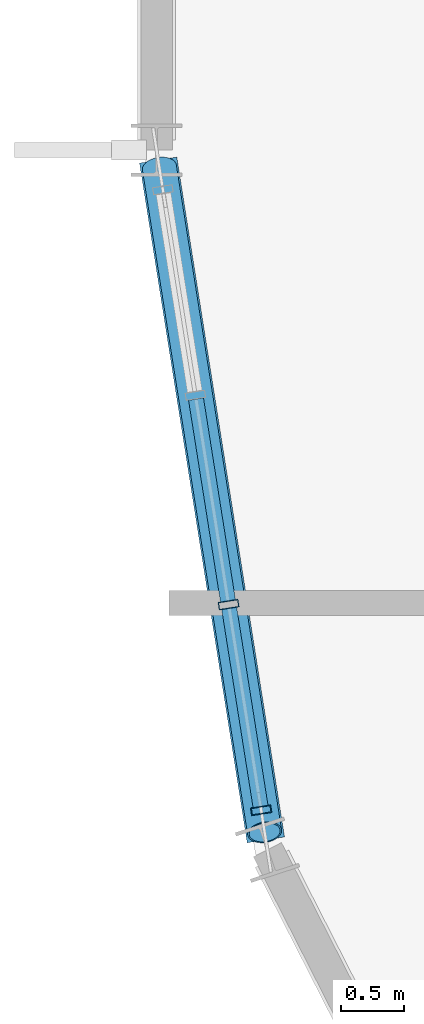
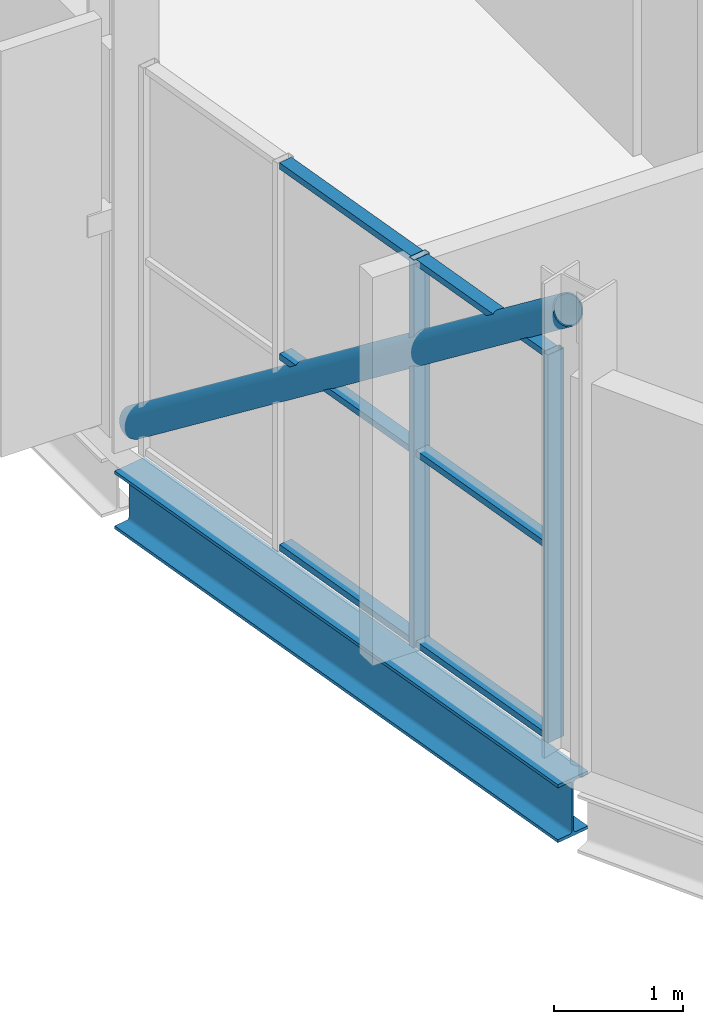
# One storey, part 4 of 22: 9 members, 1 beam, 1 element without a shape of its own.
"""IFC4 building model written with IfcOpenShell, lengths in metres."""

from ifc_helpers import new_model, si_unit, direction, frame, origin, origin_2d, place, context, subcontext, project, spatial, hollow_rectangle, hollow_circle, i_section, extrude, material, layer, layer_set, material_profile, profile_set, type_object, element, aggregate, save


model = new_model("IFC4")

# Units and contexts
model_context = context("Model", 3, precision=1e-05, world=origin(), true_north=direction((0.0, 1.0)))
body_context = subcontext(model_context, "Body", "Model", "MODEL_VIEW")
ifc_project = project(units=[si_unit("LENGTHUNIT", "METRE"), si_unit("AREAUNIT", "SQUARE_METRE"), si_unit("VOLUMEUNIT", "CUBIC_METRE"), si_unit("PLANEANGLEUNIT", "RADIAN"), si_unit("MASSUNIT", "GRAM", prefix="KILO")], contexts=[model_context])

# Site, building, storey
site_placement = place(None, origin())
site = spatial("IfcSite", under=ifc_project, at=site_placement, CompositionType="ELEMENT")
building_placement = place(site_placement, origin())
building = spatial("IfcBuilding", under=site, at=building_placement, Name="Solnavia Interchange Tower", CompositionType="ELEMENT")
storey_placement = place(building_placement, frame((0.0, 0.0, 317.699951171875)))
storey = spatial("IfcBuildingStorey", under=building, at=storey_placement, Name="C04", CompositionType="ELEMENT", Elevation=317.699951171875)

# Curtain wall, members
ifc_material_1 = material(Name="Aluminium Alloy 6063-T6", Category="aluminium")
ifc_layer = layer(ifc_material_1, 0.179931640625)
ifc_layer_set = layer_set([ifc_layer], Name="Aluminium Alloy 6063-T6")
curtain_wall_type = type_object("IfcCurtainWallType", Name="CurtainWall-Crown-CTW6", PredefinedType="NOTDEFINED", material=ifc_layer_set)
curtain_wall_placement = place(storey_placement, origin())
curtain_wall = element("IfcCurtainWall", 1, at=curtain_wall_placement, inside=storey, type_object=curtain_wall_type, Name="CTW-C04-R09 CTW-6 curtain wall", PredefinedType="NOTDEFINED")
ifc_material_profile_1 = material_profile(ifc_material_1, hollow_rectangle(XDim=0.06005859375, YDim=0.159912109375, WallThickness=0.00390625, at=origin_2d()), Name="ALU 160x60x4")
ifc_profile_set_1 = profile_set([ifc_material_profile_1], Name="Aluminium Alloy 6063-T6")
member_type_1 = type_object("IfcMemberType", Name="CW-Mullion-CWM-6", PredefinedType="MULLION", material=ifc_profile_set_1)
member_1_placement = place(storey_placement, frame((7.772216796875, 17.987060546875, 0.0), z_axis=(0.0, 0.0, 1.0), x_axis=(0.156456312485, -0.987684880052, 0.0)))
member_1 = element("IfcMember", 2, at=member_1_placement, type_object=member_type_1, Name="CTW-6 mullion 3", PredefinedType="MULLION", context=body_context, shape_type="SweptSolid", body=[
    extrude(hollow_rectangle(XDim=0.06005859375, YDim=0.159912109375, WallThickness=0.00390625, at=origin_2d()), origin(), (0.0, 0.0, 1.0), 3.679931640625),
])
member_2_placement = place(storey_placement, frame((8.03125, 16.3525390625, 0.0), z_axis=(0.0, 0.0, 1.0), x_axis=(0.156456312485, -0.987684880052, 0.0)))
member_2 = element("IfcMember", 3, at=member_2_placement, type_object=member_type_1, Name="CTW-6 mullion 4", PredefinedType="MULLION", context=body_context, shape_type="SweptSolid", body=[
    extrude(hollow_rectangle(XDim=0.06005859375, YDim=0.159912109375, WallThickness=0.00390625, at=origin_2d()), origin(), (0.0, 0.0, 1.0), 3.679931640625),
])
ifc_material_profile_2 = material_profile(ifc_material_1, hollow_rectangle(XDim=0.06005859375, YDim=0.1201171875, WallThickness=0.00390625, at=origin_2d()), Name="ALU 120x60x4")
ifc_profile_set_2 = profile_set([ifc_material_profile_2], Name="Aluminium Alloy 6063-T6")
member_type_2 = type_object("IfcMemberType", Name="CW-Transom-CWT-6", PredefinedType="USERDEFINED", material=ifc_profile_set_2)
member_3_placement = place(storey_placement, frame((7.513427734375, 19.621337890625, 0.030029296875), z_axis=(0.15642553401, -0.98768975509, 0.0), x_axis=(0.0, 0.0, 1.0)))
member_3 = element("IfcMember", 4, at=member_3_placement, type_object=member_type_2, Name="CTW-6 transom 2.1", ObjectType="TRANSOM", PredefinedType="USERDEFINED", context=body_context, shape_type="SweptSolid", body=[
    extrude(hollow_rectangle(XDim=0.06005859375, YDim=0.1201171875, WallThickness=0.00390625, at=origin_2d()), origin(), (0.0, 0.0, 1.0), 1.624755859375),
])
member_4_placement = place(storey_placement, frame((7.513427734375, 19.621337890625, 1.840087890625), z_axis=(0.15642553401, -0.98768975509, 0.0), x_axis=(0.0, 0.0, 1.0)))
member_4 = element("IfcMember", 5, at=member_4_placement, type_object=member_type_2, Name="CTW-6 transom 2.2", ObjectType="TRANSOM", PredefinedType="USERDEFINED", context=body_context, shape_type="SweptSolid", body=[
    extrude(hollow_rectangle(XDim=0.06005859375, YDim=0.1201171875, WallThickness=0.00390625, at=origin_2d()), origin(), (0.0, 0.0, 1.0), 1.624755859375),
])
member_5_placement = place(storey_placement, frame((7.513427734375, 19.621337890625, 3.650146484375), z_axis=(0.15642553401, -0.98768975509, 0.0), x_axis=(0.0, 0.0, 1.0)))
member_5 = element("IfcMember", 6, at=member_5_placement, type_object=member_type_2, Name="CTW-6 transom 2.3", ObjectType="TRANSOM", PredefinedType="USERDEFINED", context=body_context, shape_type="SweptSolid", body=[
    extrude(hollow_rectangle(XDim=0.06005859375, YDim=0.1201171875, WallThickness=0.00390625, at=origin_2d()), origin(), (0.0, 0.0, 1.0), 1.624755859375),
])
member_6_placement = place(storey_placement, frame((7.777099609375, 17.957275390625, 0.030029296875), z_axis=(0.156449934884, -0.987685890288, 0.0), x_axis=(0.0, 0.0, 1.0)))
member_6 = element("IfcMember", 7, at=member_6_placement, type_object=member_type_2, Name="CTW-6 transom 3.1", ObjectType="TRANSOM", PredefinedType="USERDEFINED", context=body_context, shape_type="SweptSolid", body=[
    extrude(hollow_rectangle(XDim=0.06005859375, YDim=0.1201171875, WallThickness=0.00390625, at=origin_2d()), origin(), (0.0, 0.0, 1.0), 1.5947265625),
])
member_7_placement = place(storey_placement, frame((7.777099609375, 17.957275390625, 1.840087890625), z_axis=(0.156449934884, -0.987685890288, 0.0), x_axis=(0.0, 0.0, 1.0)))
member_7 = element("IfcMember", 8, at=member_7_placement, type_object=member_type_2, Name="CTW-6 transom 3.2", ObjectType="TRANSOM", PredefinedType="USERDEFINED", context=body_context, shape_type="SweptSolid", body=[
    extrude(hollow_rectangle(XDim=0.06005859375, YDim=0.1201171875, WallThickness=0.00390625, at=origin_2d()), origin(), (0.0, 0.0, 1.0), 1.5947265625),
])
member_8_placement = place(storey_placement, frame((7.777099609375, 17.957275390625, 3.650146484375), z_axis=(0.156449934884, -0.987685890288, 0.0), x_axis=(0.0, 0.0, 1.0)))
member_8 = element("IfcMember", 9, at=member_8_placement, type_object=member_type_2, Name="CTW-6 transom 3.3", ObjectType="TRANSOM", PredefinedType="USERDEFINED", context=body_context, shape_type="SweptSolid", body=[
    extrude(hollow_rectangle(XDim=0.06005859375, YDim=0.1201171875, WallThickness=0.00390625, at=origin_2d()), origin(), (0.0, 0.0, 1.0), 1.5947265625),
])
aggregate(curtain_wall, [member_1, member_2, member_3, member_4, member_5, member_6, member_7, member_8])

# Member
ifc_material_2 = material(Name="Steel S355", Category="steel")
ifc_material_profile_3 = material_profile(ifc_material_2, hollow_circle(Radius=0.136474609375, WallThickness=0.012451171875, at=origin_2d()), Name="CHS 273x12.5")
ifc_profile_set_3 = profile_set([ifc_material_profile_3], Name="Steel S355")
member_type_3 = type_object("IfcMemberType", Name="CrownFrame-Brace-CHS273", PredefinedType="BRACE", material=ifc_profile_set_3)
member_9_placement = place(storey_placement, frame((7.221923828125, 21.461669921875, 0.179931640625), z_axis=(0.125525677174, -0.792506673995, 0.596805224544), x_axis=(0.987687387175, 0.156440484578, 0.0)))
element("IfcMember", 10, at=member_9_placement, inside=storey, type_object=member_type_3, Name="BRC-C04-CF09 CROWN FRAME ring brace", PredefinedType="BRACE", context=body_context, shape_type="SweptSolid", body=[
    extrude(hollow_circle(Radius=0.136474609375, WallThickness=0.012451171875, at=origin_2d()), origin(), (0.0, 0.0, 1.0), 6.669189453125),
])

# Beam
ifc_material_3 = material(Name="Steel S460", Category="steel")
ifc_material_profile_4 = material_profile(ifc_material_3, i_section(OverallWidth=0.300048828125, OverallDepth=0.550048828125, WebThickness=0.014892578125, FlangeThickness=0.029052734375, FilletRadius=0.027099609375, at=origin_2d()), Name="HEB 550")
ifc_profile_set_4 = profile_set([ifc_material_profile_4], Name="Steel S460")
beam_type = type_object("IfcBeamType", Name="CrownFrame-Ring-HEB550", PredefinedType="BEAM", material=ifc_profile_set_4)
beam_placement = place(storey_placement, frame((7.21240234375, 21.52099609375, -0.52490234375), z_axis=(0.156484976244, -0.987680339082, 0.0), x_axis=(0.987680339082, 0.156484976244, 0.0)))
element("IfcBeam", 11, at=beam_placement, inside=storey, type_object=beam_type, Name="GRD-C04-CR09 CROWN FRAME outer collar ring beam", PredefinedType="BEAM", context=body_context, shape_type="SweptSolid", body=[
    extrude(i_section(OverallWidth=0.300048828125, OverallDepth=0.550048828125, WebThickness=0.014892578125, FlangeThickness=0.029052734375, FilletRadius=0.027099609375, at=origin_2d()), origin(), (0.0, 0.0, 1.0), 5.471435546875),
])

save(model, "model.ifc")
